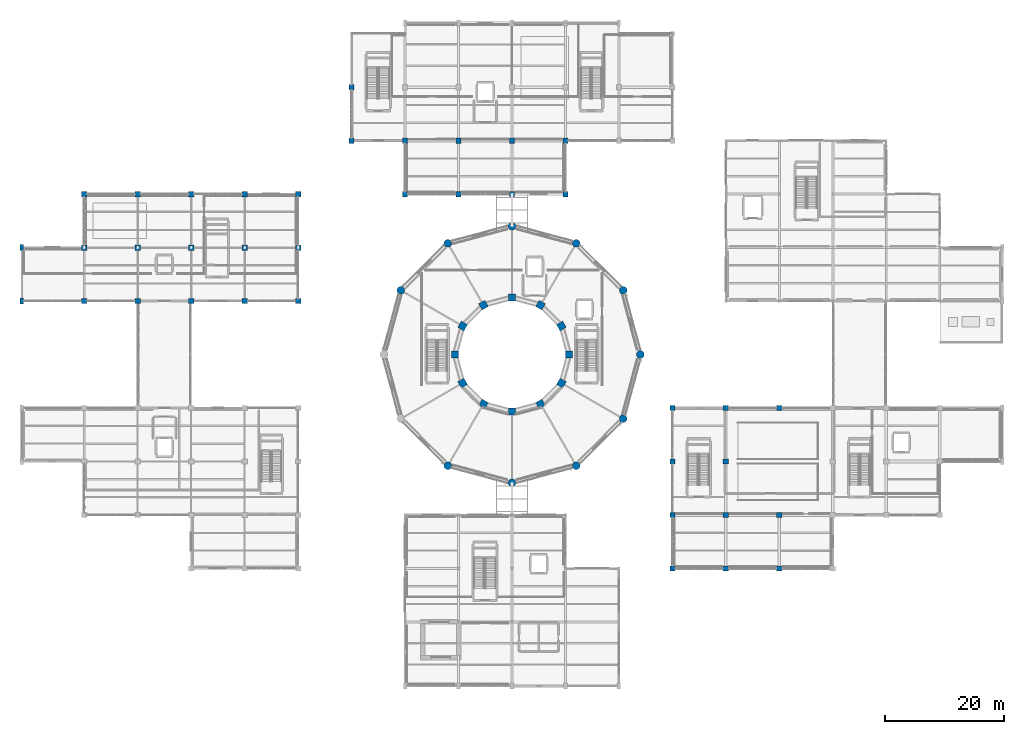
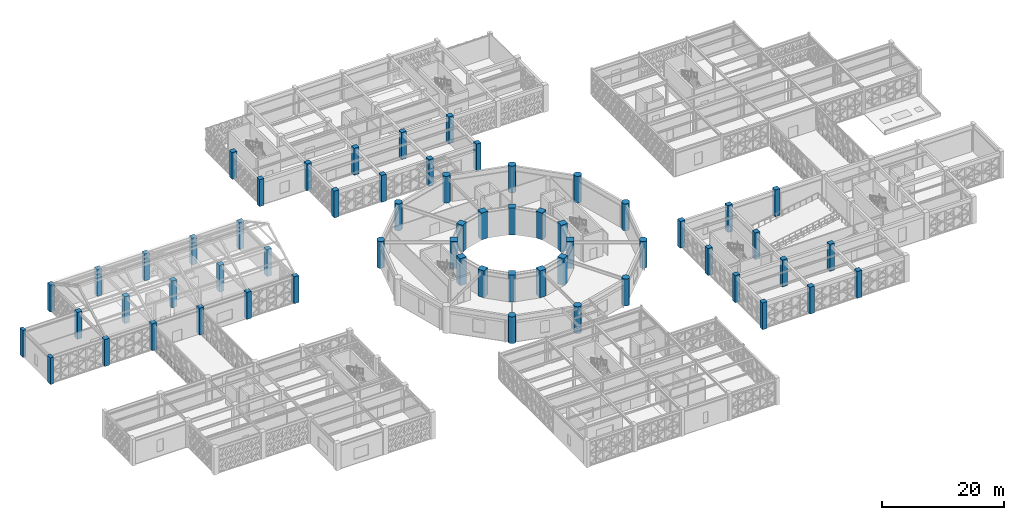
# One storey, part 3 of 166: 60 columns.
"""IFC4 building model written with IfcOpenShell, lengths in metres."""

from ifc_helpers import new_model, si_unit, direction, frame, origin, origin_2d, place, context, subcontext, project, spatial, rectangle, circle, extrude, material, material_profile, profile_set, type_object, element, save


model = new_model("IFC4")

# Units and contexts
model_context = context("Model", 3, precision=1e-05, world=origin(), true_north=direction((0.0, 1.0)))
body_context = subcontext(model_context, "Body", "Model", "MODEL_VIEW")
ifc_project = project(units=[si_unit("LENGTHUNIT", "METRE"), si_unit("AREAUNIT", "SQUARE_METRE"), si_unit("VOLUMEUNIT", "CUBIC_METRE"), si_unit("PLANEANGLEUNIT", "RADIAN"), si_unit("MASSUNIT", "GRAM", prefix="KILO")], contexts=[model_context])

# Site, building, storey
site_placement = place(None, origin())
site = spatial("IfcSite", under=ifc_project, at=site_placement, CompositionType="ELEMENT")
building_placement = place(site_placement, origin())
building = spatial("IfcBuilding", under=site, at=building_placement, Name="Haizhuo Lancet Aquarium", CompositionType="ELEMENT")
storey_placement = place(building_placement, frame((0.0, 0.0, 5.39990234375)))
storey = spatial("IfcBuildingStorey", under=building, at=storey_placement, Name="L01", CompositionType="ELEMENT", Elevation=5.39990234375)

# Columns
ifc_material_1 = material(Name="Concrete C50/60", Category="concrete")
ifc_material_profile_1 = material_profile(ifc_material_1, circle(Radius=0.64990234375, at=origin_2d()), Name="RC-DC 1300")
ifc_profile_set_1 = profile_set([ifc_material_profile_1], Name="Concrete C50/60")
column_type_1 = type_object("IfcColumnType", Name="COL-DC-1300", PredefinedType="COLUMN", material=ifc_profile_set_1)
for number, where, z_axis, x_axis, name in (
    (1, (21.60009765625, 0.0, 0.0), (0.0, 0.0, 1.0), (1.0, 0.0, 0.0), "L01 column V1-COL-001"),
    (2, (18.7060546875, 10.800048828125, 0.0), (0.0, 0.0, 1.0), (0.866025403784, 0.5, 0.0), "L01 column V1-COL-002"),
    (3, (10.800048828125, 18.7060546875, 0.0), (0.0, 0.0, 1.0), (0.5, 0.866025403784, 0.0), "L01 column V1-COL-003"),
    (4, (0.0, 21.60009765625, 0.0), (0.0, 0.0, 1.0), (0.0, 1.0, 0.0), "L01 column V1-COL-004"),
    (5, (-10.800048828125, 18.7060546875, 0.0), (0.0, 0.0, 1.0), (-0.5, 0.866025403784, 0.0), "L01 column V1-COL-005"),
    (6, (-18.7060546875, 10.800048828125, 0.0), (0.0, 0.0, 1.0), (-0.866025403784, 0.5, 0.0), "L01 column V1-COL-006"),
    (7, (-10.800048828125, -18.7060546875, 0.0), (0.0, 0.0, 1.0), (-0.5, -0.866025403784, 0.0), "L01 column V1-COL-009"),
    (8, (0.0, -21.60009765625, 0.0), (0.0, 0.0, 1.0), (0.0, -1.0, 0.0), "L01 column V1-COL-010"),
    (9, (10.800048828125, -18.7060546875, 0.0), (0.0, 0.0, 1.0), (0.5, -0.866025403784, 0.0), "L01 column V1-COL-011"),
    (10, (18.7060546875, -10.800048828125, 0.0), (0.0, 0.0, 1.0), (0.866025403784, -0.5, 0.0), "L01 column V1-COL-012"),
):
    element("IfcColumn", number, at=place(storey_placement, frame(where, z_axis=z_axis, x_axis=x_axis)), inside=storey, type_object=column_type_1, Name=name, PredefinedType="COLUMN", context=body_context, shape_type="SweptSolid", body=[
        extrude(circle(Radius=0.64990234375, at=origin_2d()), origin(), (0.0, 0.0, 1.0), 5.400146484375),
    ])
ifc_material_2 = material(Name="Concrete C40/50", Category="concrete")
ifc_material_profile_2 = material_profile(ifc_material_2, rectangle(XDim=0.89990234375, YDim=0.89990234375, at=origin_2d()), Name="RC-COL 900x900")
ifc_profile_set_2 = profile_set([ifc_material_profile_2], Name="Concrete C40/50")
column_type_2 = type_object("IfcColumnType", Name="COL-RC-900", PredefinedType="COLUMN", material=ifc_profile_set_2)
for number, where, z_axis, x_axis, name in (
    (11, (-72.0, 9.0, 0.0), (0.0, 0.0, 1.0), (1.0, 0.0, 0.0), "L01 column V2-COL-027"),
    (12, (-72.0, 18.0, 0.0), (0.0, 0.0, 1.0), (1.0, 0.0, 0.0), "L01 column V2-COL-028"),
    (13, (-72.0, 27.0, 0.0), (0.0, 0.0, 1.0), (1.0, 0.0, 0.0), "L01 column V2-COL-029"),
    (14, (-63.0, 9.0, 0.0), (0.0, 0.0, 1.0), (1.0, 0.0, 0.0), "L01 column V2-COL-030"),
    (15, (-63.0, 18.0, 0.0), (0.0, 0.0, 1.0), (1.0, 0.0, 0.0), "L01 column V2-COL-031"),
    (16, (-63.0, 27.0, 0.0), (0.0, 0.0, 1.0), (1.0, 0.0, 0.0), "L01 column V2-COL-032"),
    (17, (-54.0, 9.0, 0.0), (0.0, 0.0, 1.0), (1.0, 0.0, 0.0), "L01 column V2-COL-033"),
    (18, (-54.0, 18.0, 0.0), (0.0, 0.0, 1.0), (1.0, 0.0, 0.0), "L01 column V2-COL-034"),
    (19, (-54.0, 27.0, 0.0), (0.0, 0.0, 1.0), (1.0, 0.0, 0.0), "L01 column V2-COL-035"),
    (20, (-45.0, 9.0, 0.0), (0.0, 0.0, 1.0), (1.0, 0.0, 0.0), "L01 column V2-COL-036"),
    (21, (-45.0, 18.0, 0.0), (0.0, 0.0, 1.0), (1.0, 0.0, 0.0), "L01 column V2-COL-037"),
    (22, (-45.0, 27.0, 0.0), (0.0, 0.0, 1.0), (1.0, 0.0, 0.0), "L01 column V2-COL-038"),
    (23, (-36.0, 9.0, 0.0), (0.0, 0.0, 1.0), (1.0, 0.0, 0.0), "L01 column V2-COL-039"),
    (24, (-36.0, 18.0, 0.0), (0.0, 0.0, 1.0), (1.0, 0.0, 0.0), "L01 column V2-COL-040"),
    (25, (-36.0, 27.0, 0.0), (0.0, 0.0, 1.0), (1.0, 0.0, 0.0), "L01 column V2-COL-041"),
    (26, (27.0, -36.0, 0.0), (0.0, 0.0, 1.0), (1.0, 0.0, 0.0), "L01 column V3-COL-042"),
    (27, (27.0, -27.0, 0.0), (0.0, 0.0, 1.0), (1.0, 0.0, 0.0), "L01 column V3-COL-043"),
    (28, (27.0, -18.0, 0.0), (0.0, 0.0, 1.0), (1.0, 0.0, 0.0), "L01 column V3-COL-044"),
    (29, (27.0, -9.0, 0.0), (0.0, 0.0, 1.0), (1.0, 0.0, 0.0), "L01 column V3-COL-045"),
    (30, (36.0, -36.0, 0.0), (0.0, 0.0, 1.0), (1.0, 0.0, 0.0), "L01 column V3-COL-046"),
    (31, (36.0, -27.0, 0.0), (0.0, 0.0, 1.0), (1.0, 0.0, 0.0), "L01 column V3-COL-047"),
    (32, (36.0, -18.0, 0.0), (0.0, 0.0, 1.0), (1.0, 0.0, 0.0), "L01 column V3-COL-048"),
    (33, (36.0, -9.0, 0.0), (0.0, 0.0, 1.0), (1.0, 0.0, 0.0), "L01 column V3-COL-049"),
    (34, (45.0, -36.0, 0.0), (0.0, 0.0, 1.0), (1.0, 0.0, 0.0), "L01 column V3-COL-050"),
    (35, (45.0, -27.0, 0.0), (0.0, 0.0, 1.0), (1.0, 0.0, 0.0), "L01 column V3-COL-051"),
    (36, (45.0, -9.0, 0.0), (0.0, 0.0, 1.0), (1.0, 0.0, 0.0), "L01 column V3-COL-053"),
    (37, (-27.0, 36.0, 0.0), (0.0, 0.0, 1.0), (1.0, 0.0, 0.0), "L01 column V5-COL-085"),
    (38, (-27.0, 45.0, 0.0), (0.0, 0.0, 1.0), (1.0, 0.0, 0.0), "L01 column V5-COL-086"),
    (39, (-18.0, 27.0, 0.0), (0.0, 0.0, 1.0), (1.0, 0.0, 0.0), "L01 column V5-COL-087"),
    (40, (-18.0, 36.0, 0.0), (0.0, 0.0, 1.0), (1.0, 0.0, 0.0), "L01 column V5-COL-088"),
    (41, (-9.0, 27.0, 0.0), (0.0, 0.0, 1.0), (1.0, 0.0, 0.0), "L01 column V5-COL-091"),
    (42, (-9.0, 36.0, 0.0), (0.0, 0.0, 1.0), (1.0, 0.0, 0.0), "L01 column V5-COL-092"),
    (43, (0.0, 27.0, 0.0), (0.0, 0.0, 1.0), (1.0, 0.0, 0.0), "L01 column V5-COL-095"),
    (44, (0.0, 36.0, 0.0), (0.0, 0.0, 1.0), (1.0, 0.0, 0.0), "L01 column V5-COL-096"),
    (45, (9.0, 27.0, 0.0), (0.0, 0.0, 1.0), (1.0, 0.0, 0.0), "L01 column V5-COL-099"),
    (46, (9.0, 36.0, 0.0), (0.0, 0.0, 1.0), (1.0, 0.0, 0.0), "L01 column V5-COL-100"),
):
    element("IfcColumn", number, at=place(storey_placement, frame(where, z_axis=z_axis, x_axis=x_axis)), inside=storey, type_object=column_type_2, Name=name, PredefinedType="COLUMN", context=body_context, shape_type="SweptSolid", body=[
        extrude(rectangle(XDim=0.89990234375, YDim=0.89990234375, at=origin_2d()), origin(), (0.0, 0.0, 1.0), 5.400146484375),
    ])
ifc_material_profile_3 = material_profile(ifc_material_1, rectangle(XDim=1.199951171875, YDim=1.199951171875, at=origin_2d()), Name="RC-COL 1200x1200")
ifc_profile_set_3 = profile_set([ifc_material_profile_3], Name="Concrete C50/60")
column_type_3 = type_object("IfcColumnType", Name="COL-TC-1200", PredefinedType="COLUMN", material=ifc_profile_set_3)
for number, where, z_axis, x_axis, name in (
    (47, (9.60009765625, 0.0, 0.0), (0.0, 0.0, 1.0), (1.0, 0.0, 0.0), "L01 column V1-COL-013"),
    (48, (8.31396484375, 4.800048828125, 0.0), (0.0, 0.0, 1.0), (0.866025403784, 0.5, 0.0), "L01 column V1-COL-014"),
    (49, (4.800048828125, 8.31396484375, 0.0), (0.0, 0.0, 1.0), (0.5, 0.866025403784, 0.0), "L01 column V1-COL-015"),
    (50, (0.0, 9.60009765625, 0.0), (0.0, 0.0, 1.0), (0.0, 1.0, 0.0), "L01 column V1-COL-016"),
    (51, (-4.800048828125, 8.31396484375, 0.0), (0.0, 0.0, 1.0), (-0.5, 0.866025403784, 0.0), "L01 column V1-COL-017"),
    (52, (-8.31396484375, 4.800048828125, 0.0), (0.0, 0.0, 1.0), (-0.866025403784, 0.5, 0.0), "L01 column V1-COL-018"),
    (53, (-9.60009765625, 0.0, 0.0), (0.0, 0.0, 1.0), (-1.0, 0.0, 0.0), "L01 column V1-COL-019"),
    (54, (-8.31396484375, -4.800048828125, 0.0), (0.0, 0.0, 1.0), (-0.866025403784, -0.5, 0.0), "L01 column V1-COL-020"),
    (55, (-4.800048828125, -8.31396484375, 0.0), (0.0, 0.0, 1.0), (-0.5, -0.866025403784, 0.0), "L01 column V1-COL-021"),
    (56, (0.0, -9.60009765625, 0.0), (0.0, 0.0, 1.0), (0.0, -1.0, 0.0), "L01 column V1-COL-022"),
    (57, (4.800048828125, -8.31396484375, 0.0), (0.0, 0.0, 1.0), (0.5, -0.866025403784, 0.0), "L01 column V1-COL-023"),
    (58, (8.31396484375, -4.800048828125, 0.0), (0.0, 0.0, 1.0), (0.866025403784, -0.5, 0.0), "L01 column V1-COL-024"),
):
    element("IfcColumn", number, at=place(storey_placement, frame(where, z_axis=z_axis, x_axis=x_axis)), inside=storey, type_object=column_type_3, Name=name, PredefinedType="COLUMN", context=body_context, shape_type="SweptSolid", body=[
        extrude(rectangle(XDim=1.199951171875, YDim=1.199951171875, at=origin_2d()), origin(), (0.0, 0.0, 1.0), 5.400146484375),
    ])
ifc_material_3 = material(Name="Concrete C45/55", Category="concrete")
ifc_material_profile_4 = material_profile(ifc_material_3, rectangle(XDim=0.60009765625, YDim=1.0, at=origin_2d()), Name="RC-PIL 600x1000")
ifc_profile_set_4 = profile_set([ifc_material_profile_4], Name="Concrete C45/55")
column_type_4 = type_object("IfcColumnType", Name="PIL-RC-600x1000", PredefinedType="PILASTER", material=ifc_profile_set_4)
for number, where, z_axis, x_axis, name in (
    (59, (-82.5, 9.0, 0.0), (0.0, 0.0, 1.0), (1.0, 0.0, 0.0), "L01 column V2-COL-025"),
    (60, (-82.5, 18.0, 0.0), (0.0, 0.0, 1.0), (1.0, 0.0, 0.0), "L01 column V2-COL-026"),
):
    element("IfcColumn", number, at=place(storey_placement, frame(where, z_axis=z_axis, x_axis=x_axis)), inside=storey, type_object=column_type_4, Name=name, PredefinedType="PILASTER", context=body_context, shape_type="SweptSolid", body=[
        extrude(rectangle(XDim=0.60009765625, YDim=1.0, at=origin_2d()), origin(), (0.0, 0.0, 1.0), 5.400146484375),
    ])

save(model, "model.ifc")
